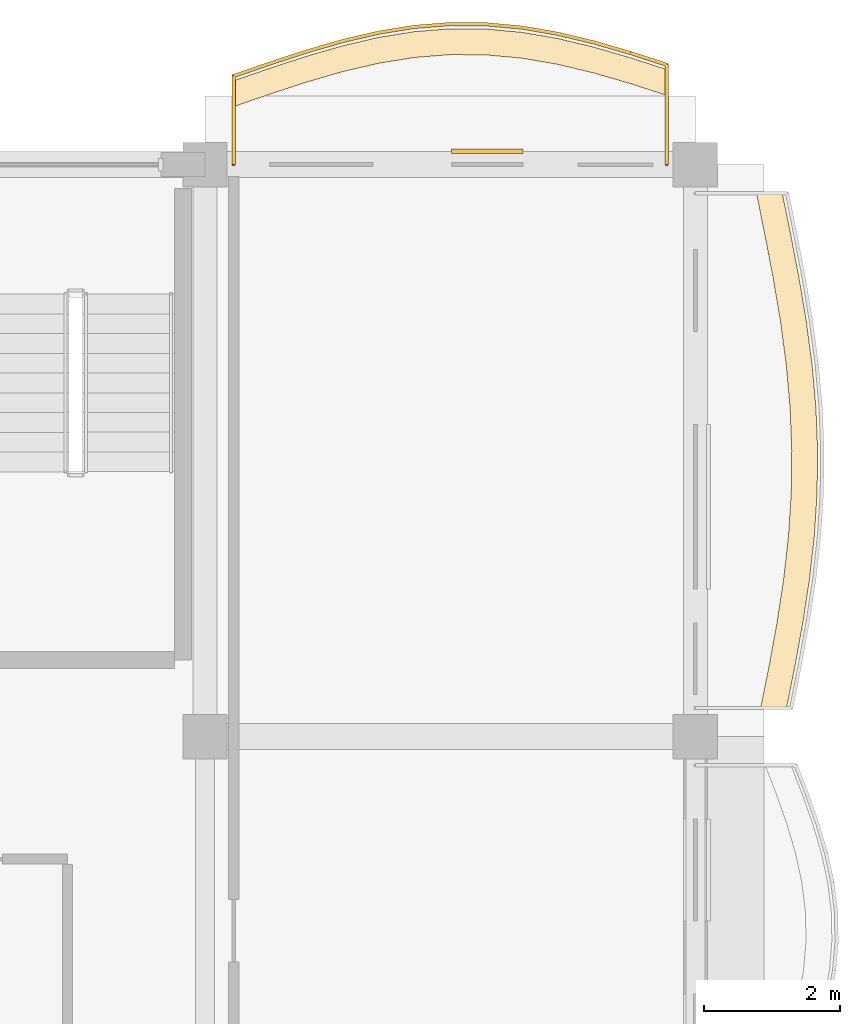
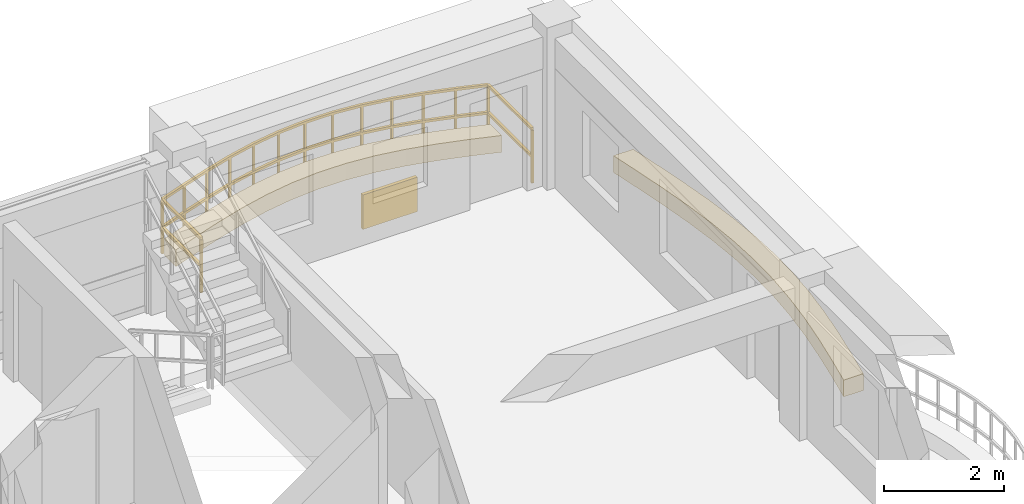
# One storey, part 79 of 79: 3 coverings, 1 railing.
"""IFC4 building model written with IfcOpenShell, lengths in metres."""

from ifc_helpers import new_model, si_unit, direction, frame, origin, origin_2d, place, context, subcontext, project, spatial, polyline, rectangle, outline, extrude, material, layer, layer_set, type_object, element, save


model = new_model("IFC4")

# Units and contexts
model_context = context("Model", 3, precision=1e-05, world=origin(), true_north=direction((0.0, 1.0)))
body_context = subcontext(model_context, "Body", "Model", "MODEL_VIEW")
ifc_project = project(units=[si_unit("LENGTHUNIT", "METRE"), si_unit("AREAUNIT", "SQUARE_METRE"), si_unit("VOLUMEUNIT", "CUBIC_METRE"), si_unit("PLANEANGLEUNIT", "RADIAN"), si_unit("MASSUNIT", "GRAM", prefix="KILO"), si_unit("THERMODYNAMICTEMPERATUREUNIT", "KELVIN")], contexts=[model_context])

# Site, building, storey
site_placement = place(None, origin())
site = spatial("IfcSite", under=ifc_project, at=site_placement, CompositionType="ELEMENT")
building_placement = place(site_placement, origin())
building = spatial("IfcBuilding", under=site, at=building_placement, Name="Thalorik Housing Commons", CompositionType="ELEMENT")
storey_placement = place(building_placement, frame((0.0, 0.0, 11.39990234375)))
storey = spatial("IfcBuildingStorey", under=building, at=storey_placement, Name="L03", CompositionType="ELEMENT", Elevation=11.39990234375)

# Coverings
ifc_material_1 = material(Name="Mineral ochre architectural terracotta panel", Category="masonry")
ifc_layer_1 = layer(ifc_material_1, 0.06494140625, Name="Mineral ochre architectural terracotta panel", Category="masonry")
ifc_layer_set_1 = layer_set([ifc_layer_1], Name="Mineral ochre architectural terracotta panel")
covering_type_1 = type_object("IfcCoveringType", Name="ARC-CLD-YEL-65", PredefinedType="CLADDING", material=ifc_layer_set_1)
covering_1_placement = place(storey_placement, frame((170.9423828125, 123.797607421875, 0.05029296875), z_axis=(0.0, 0.0, 1.0), x_axis=(-1.0, 0.0, 0.0)))
element("IfcCovering", 1, at=covering_1_placement, inside=storey, type_object=covering_type_1, Name="L03 De Stijl Recessed Window Spandrel 1853", PredefinedType="CLADDING", context=body_context, shape_type="SweptSolid", body=[
    extrude(rectangle(XDim=1.050048828125, YDim=0.06494140625, at=origin_2d()), origin(), (0.0, 0.0, 1.0), 0.699951171875),
])
ifc_material_2 = material(Name="Planted vegetated substrate and terracotta trough", Category="masonry")
ifc_layer_2 = layer(ifc_material_2, 0.340087890625, Name="Planted vegetated substrate and terracotta trough", Category="masonry")
ifc_layer_set_2 = layer_set([ifc_layer_2], Name="Planted vegetated substrate and terracotta trough")
covering_type_2 = type_object("IfcCoveringType", Name="ARC-COV-PLANTER", PredefinedType="USERDEFINED", material=ifc_layer_set_2)
covering_2_placement = place(storey_placement, origin())
element("IfcCovering", 2, at=covering_2_placement, inside=storey, type_object=covering_type_2, Name="L03 Balcony Slab-Edge Planted Trough 5444", ObjectType="PLANTER", PredefinedType="USERDEFINED", context=body_context, shape_type="SweptSolid", body=[
    extrude(outline(polyline([(173.580078125, 124.9970703125), (173.050048828125, 125.168212890625), (172.52001953125, 125.32275390625), (171.989990234375, 125.4501953125), (171.4599609375, 125.5419921875), (170.929931640625, 125.59130859375), (170.39990234375, 125.59521484375), (169.8701171875, 125.552734375), (169.340087890625, 125.466796875), (168.81005859375, 125.342529296875), (168.280029296875, 125.1884765625), (167.75, 125.014404296875), (167.219970703125, 124.83154296875), (167.219970703125, 124.45166015625), (167.75, 124.63427734375), (168.280029296875, 124.808349609375), (168.81005859375, 124.962646484375), (169.340087890625, 125.0869140625), (169.8701171875, 125.1728515625), (170.39990234375, 125.215087890625), (170.929931640625, 125.211181640625), (171.4599609375, 125.161865234375), (171.989990234375, 125.0703125), (172.52001953125, 124.94287109375), (173.050048828125, 124.788330078125), (173.580078125, 124.6171875), (173.580078125, 124.9970703125)])), origin(), (0.0, 0.0, 1.0), 0.340087890625),
])
covering_3_placement = place(storey_placement, origin())
element("IfcCovering", 3, at=covering_3_placement, inside=storey, type_object=covering_type_2, Name="L03 Balcony Slab-Edge Planted Trough 5446", ObjectType="PLANTER", PredefinedType="USERDEFINED", context=body_context, shape_type="SweptSolid", body=[
    extrude(outline(polyline([(175.338623046875, 115.6201171875), (175.465087890625, 116.25), (175.580322265625, 116.8798828125), (175.67626953125, 117.510009765625), (175.7470703125, 118.139892578125), (175.787841796875, 118.77001953125), (175.796142578125, 119.39990234375), (175.771240234375, 120.030029296875), (175.71484375, 120.659912109375), (175.631103515625, 121.2900390625), (175.525390625, 121.919921875), (175.40478515625, 122.550048828125), (175.27734375, 123.179931640625), (174.897216796875, 123.179931640625), (175.02490234375, 122.550048828125), (175.1455078125, 121.919921875), (175.251220703125, 121.2900390625), (175.3349609375, 120.659912109375), (175.39111328125, 120.030029296875), (175.416015625, 119.39990234375), (175.407958984375, 118.77001953125), (175.3671875, 118.139892578125), (175.29638671875, 117.510009765625), (175.2001953125, 116.8798828125), (175.085205078125, 116.25), (174.958740234375, 115.6201171875), (175.338623046875, 115.6201171875)])), origin(), (0.0, 0.0, 1.0), 0.340087890625),
])

# Railing
ifc_material_3 = material(Name="Steel S355", Category="steel")
railing_type = type_object("IfcRailingType", Name="ARC-RL-BAL-112", PredefinedType="BALUSTRADE", material=ifc_material_3)
railing_placement = place(storey_placement, frame((173.580078125, 123.60009765625, 0.0)))
element("IfcRailing", 4, at=railing_placement, inside=storey, type_object=railing_type, Name="L03 Cushion Balcony Guardrail 128", PredefinedType="BALUSTRADE", context=body_context, shape_type="SweptSolid", body=[
    extrude(rectangle(XDim=0.050048828125, YDim=0.050048828125, at=origin_2d()), frame((0.0, 0.0, 1.09521484375), z_axis=(0.0, 1.0, 0.0), x_axis=(-1.0, 0.0, 0.0)), (0.0, 0.0, 1.0), 1.467041015625),
    extrude(rectangle(XDim=0.050048828125, YDim=0.050048828125, at=origin_2d()), frame((0.0, 0.0, 0.53515625), z_axis=(0.0, 1.0, 0.0), x_axis=(-1.0, 0.0, 0.0)), (0.0, 0.0, 1.0), 1.467041015625),
    extrude(rectangle(XDim=0.050048828125, YDim=0.050048828125, at=origin_2d()), frame((0.0, 1.467041015625, 1.09521484375), z_axis=(-0.951621821969, 0.307271716813, 0.0), x_axis=(-0.307271716813, -0.951621821969, 0.0)), (0.0, 0.0, 1.0), 0.556884765625),
    extrude(rectangle(XDim=0.050048828125, YDim=0.050048828125, at=origin_2d()), frame((0.0, 1.467041015625, 0.53515625), z_axis=(-0.951621821969, 0.307271716813, 0.0), x_axis=(-0.307271716813, -0.951621821969, 0.0)), (0.0, 0.0, 1.0), 0.556884765625),
    extrude(rectangle(XDim=0.050048828125, YDim=0.050048828125, at=origin_2d()), frame((-0.530029296875, 1.63818359375, 1.09521484375), z_axis=(-0.960024759666, 0.279915095748, 0.0), x_axis=(-0.279915095748, -0.960024759666, 0.0)), (0.0, 0.0, 1.0), 0.552001953125),
    extrude(rectangle(XDim=0.050048828125, YDim=0.050048828125, at=origin_2d()), frame((-0.530029296875, 1.63818359375, 0.53515625), z_axis=(-0.960024759666, 0.279915095748, 0.0), x_axis=(-0.279915095748, -0.960024759666, 0.0)), (0.0, 0.0, 1.0), 0.552001953125),
    extrude(rectangle(XDim=0.050048828125, YDim=0.050048828125, at=origin_2d()), frame((-1.06005859375, 1.792724609375, 1.09521484375), z_axis=(-0.972289651369, 0.233779455557, 0.0), x_axis=(-0.233779455557, -0.972289651369, 0.0)), (0.0, 0.0, 1.0), 0.545166015625),
    extrude(rectangle(XDim=0.050048828125, YDim=0.050048828125, at=origin_2d()), frame((-1.06005859375, 1.792724609375, 0.53515625), z_axis=(-0.972289651369, 0.233779455557, 0.0), x_axis=(-0.233779455557, -0.972289651369, 0.0)), (0.0, 0.0, 1.0), 0.545166015625),
    extrude(rectangle(XDim=0.050048828125, YDim=0.050048828125, at=origin_2d()), frame((-1.590087890625, 1.920166015625, 1.09521484375), z_axis=(-0.985407655953, 0.170210903262, 0.0), x_axis=(-0.170210903262, -0.985407655953, 0.0)), (0.0, 0.0, 1.0), 0.537841796875),
    extrude(rectangle(XDim=0.050048828125, YDim=0.050048828125, at=origin_2d()), frame((-1.590087890625, 1.920166015625, 0.53515625), z_axis=(-0.985407655953, 0.170210903262, 0.0), x_axis=(-0.170210903262, -0.985407655953, 0.0)), (0.0, 0.0, 1.0), 0.537841796875),
    extrude(rectangle(XDim=0.050048828125, YDim=0.050048828125, at=origin_2d()), frame((-2.1201171875, 2.01171875, 1.09521484375), z_axis=(-0.995656839023, 0.093099188541, 0.0), x_axis=(-0.093099188541, -0.995656839023, 0.0)), (0.0, 0.0, 1.0), 0.5322265625),
    extrude(rectangle(XDim=0.050048828125, YDim=0.050048828125, at=origin_2d()), frame((-2.1201171875, 2.01171875, 0.53515625), z_axis=(-0.995656839023, 0.093099188541, 0.0), x_axis=(-0.093099188541, -0.995656839023, 0.0)), (0.0, 0.0, 1.0), 0.5322265625),
    extrude(rectangle(XDim=0.050048828125, YDim=0.050048828125, at=origin_2d()), frame((-2.650146484375, 2.061279296875, 1.09521484375), z_axis=(-0.999976131929, 0.006909093496, 0.0), x_axis=(-0.006909093496, -0.999976131929, 0.0)), (0.0, 0.0, 1.0), 0.530029296875),
    extrude(rectangle(XDim=0.050048828125, YDim=0.050048828125, at=origin_2d()), frame((-2.650146484375, 2.061279296875, 0.53515625), z_axis=(-0.999976131929, 0.006909093496, 0.0), x_axis=(-0.006909093496, -0.999976131929, 0.0)), (0.0, 0.0, 1.0), 0.530029296875),
    extrude(rectangle(XDim=0.050048828125, YDim=0.050048828125, at=origin_2d()), frame((-3.18017578125, 2.06494140625, 1.09521484375), z_axis=(-0.996837150546, -0.079471348868, 0.0), x_axis=(0.079471348868, -0.996837150546, 0.0)), (0.0, 0.0, 1.0), 0.531494140625),
    extrude(rectangle(XDim=0.050048828125, YDim=0.050048828125, at=origin_2d()), frame((-3.18017578125, 2.06494140625, 0.53515625), z_axis=(-0.996837150546, -0.079471348868, 0.0), x_axis=(0.079471348868, -0.996837150546, 0.0)), (0.0, 0.0, 1.0), 0.531494140625),
    extrude(rectangle(XDim=0.050048828125, YDim=0.050048828125, at=origin_2d()), frame((-3.7099609375, 2.022705078125, 1.09521484375), z_axis=(-0.987109360841, -0.16004721097, 0.0), x_axis=(0.16004721097, -0.987109360841, 0.0)), (0.0, 0.0, 1.0), 0.536865234375),
    extrude(rectangle(XDim=0.050048828125, YDim=0.050048828125, at=origin_2d()), frame((-3.7099609375, 2.022705078125, 0.53515625), z_axis=(-0.987109360841, -0.16004721097, 0.0), x_axis=(0.16004721097, -0.987109360841, 0.0)), (0.0, 0.0, 1.0), 0.536865234375),
    extrude(rectangle(XDim=0.050048828125, YDim=0.050048828125, at=origin_2d()), frame((-4.239990234375, 1.936767578125, 1.09521484375), z_axis=(-0.973599183241, -0.228264387043, 0.0), x_axis=(0.228264387043, -0.973599183241, 0.0)), (0.0, 0.0, 1.0), 0.54443359375),
    extrude(rectangle(XDim=0.050048828125, YDim=0.050048828125, at=origin_2d()), frame((-4.239990234375, 1.936767578125, 0.53515625), z_axis=(-0.973599183241, -0.228264387043, 0.0), x_axis=(0.228264387043, -0.973599183241, 0.0)), (0.0, 0.0, 1.0), 0.54443359375),
    extrude(rectangle(XDim=0.050048828125, YDim=0.050048828125, at=origin_2d()), frame((-4.77001953125, 1.8125, 1.09521484375), z_axis=(-0.960143519277, -0.279507463926, 0.0), x_axis=(0.279507463926, -0.960143519277, 0.0)), (0.0, 0.0, 1.0), 0.552001953125),
    extrude(rectangle(XDim=0.050048828125, YDim=0.050048828125, at=origin_2d()), frame((-4.77001953125, 1.8125, 0.53515625), z_axis=(-0.960143519277, -0.279507463926, 0.0), x_axis=(0.279507463926, -0.960143519277, 0.0)), (0.0, 0.0, 1.0), 0.552001953125),
    extrude(rectangle(XDim=0.050048828125, YDim=0.050048828125, at=origin_2d()), frame((-5.300048828125, 1.658203125, 1.09521484375), z_axis=(-0.950074381788, -0.312023507239, 0.0), x_axis=(0.312023507239, -0.950074381788, 0.0)), (0.0, 0.0, 1.0), 0.557861328125),
    extrude(rectangle(XDim=0.050048828125, YDim=0.050048828125, at=origin_2d()), frame((-5.300048828125, 1.658203125, 0.53515625), z_axis=(-0.950074381788, -0.312023507239, 0.0), x_axis=(0.312023507239, -0.950074381788, 0.0)), (0.0, 0.0, 1.0), 0.557861328125),
    extrude(rectangle(XDim=0.050048828125, YDim=0.050048828125, at=origin_2d()), frame((-5.830078125, 1.484130859375, 1.09521484375), z_axis=(-0.945456254499, -0.325749091831, 0.0), x_axis=(0.325749091831, -0.945456254499, 0.0)), (0.0, 0.0, 1.0), 0.560546875),
    extrude(rectangle(XDim=0.050048828125, YDim=0.050048828125, at=origin_2d()), frame((-5.830078125, 1.484130859375, 0.53515625), z_axis=(-0.945456254499, -0.325749091831, 0.0), x_axis=(0.325749091831, -0.945456254499, 0.0)), (0.0, 0.0, 1.0), 0.560546875),
    extrude(rectangle(XDim=0.050048828125, YDim=0.050048828125, at=origin_2d()), frame((-6.360107421875, 1.301513671875, 1.09521484375), z_axis=(0.0, -1.0, 0.0), x_axis=(1.0, 0.0, 0.0)), (0.0, 0.0, 1.0), 1.301513671875),
    extrude(rectangle(XDim=0.050048828125, YDim=0.050048828125, at=origin_2d()), frame((-6.360107421875, 1.301513671875, 0.53515625), z_axis=(0.0, -1.0, 0.0), x_axis=(1.0, 0.0, 0.0)), (0.0, 0.0, 1.0), 1.301513671875),
    extrude(rectangle(XDim=0.0419921875, YDim=0.0419921875, at=origin_2d()), origin(), (0.0, 0.0, 1.0), 1.070068359375),
    extrude(rectangle(XDim=0.0419921875, YDim=0.0419921875, at=origin_2d()), frame((0.0, 1.467041015625, 0.0)), (0.0, 0.0, 1.0), 1.070068359375),
    extrude(rectangle(XDim=0.0419921875, YDim=0.0419921875, at=origin_2d()), frame((-0.530029296875, 1.63818359375, 0.0)), (0.0, 0.0, 1.0), 1.070068359375),
    extrude(rectangle(XDim=0.0419921875, YDim=0.0419921875, at=origin_2d()), frame((-1.06005859375, 1.792724609375, 0.0)), (0.0, 0.0, 1.0), 1.070068359375),
    extrude(rectangle(XDim=0.0419921875, YDim=0.0419921875, at=origin_2d()), frame((-1.590087890625, 1.920166015625, 0.0)), (0.0, 0.0, 1.0), 1.070068359375),
    extrude(rectangle(XDim=0.0419921875, YDim=0.0419921875, at=origin_2d()), frame((-2.1201171875, 2.01171875, 0.0)), (0.0, 0.0, 1.0), 1.070068359375),
    extrude(rectangle(XDim=0.0419921875, YDim=0.0419921875, at=origin_2d()), frame((-2.650146484375, 2.061279296875, 0.0)), (0.0, 0.0, 1.0), 1.070068359375),
    extrude(rectangle(XDim=0.0419921875, YDim=0.0419921875, at=origin_2d()), frame((-3.18017578125, 2.06494140625, 0.0)), (0.0, 0.0, 1.0), 1.070068359375),
    extrude(rectangle(XDim=0.0419921875, YDim=0.0419921875, at=origin_2d()), frame((-3.7099609375, 2.022705078125, 0.0)), (0.0, 0.0, 1.0), 1.070068359375),
    extrude(rectangle(XDim=0.0419921875, YDim=0.0419921875, at=origin_2d()), frame((-4.239990234375, 1.936767578125, 0.0)), (0.0, 0.0, 1.0), 1.070068359375),
    extrude(rectangle(XDim=0.0419921875, YDim=0.0419921875, at=origin_2d()), frame((-4.77001953125, 1.8125, 0.0)), (0.0, 0.0, 1.0), 1.070068359375),
    extrude(rectangle(XDim=0.0419921875, YDim=0.0419921875, at=origin_2d()), frame((-5.300048828125, 1.658203125, 0.0)), (0.0, 0.0, 1.0), 1.070068359375),
    extrude(rectangle(XDim=0.0419921875, YDim=0.0419921875, at=origin_2d()), frame((-5.830078125, 1.484130859375, 0.0)), (0.0, 0.0, 1.0), 1.070068359375),
    extrude(rectangle(XDim=0.0419921875, YDim=0.0419921875, at=origin_2d()), frame((-6.360107421875, 1.301513671875, 0.0)), (0.0, 0.0, 1.0), 1.070068359375),
    extrude(rectangle(XDim=0.0419921875, YDim=0.0419921875, at=origin_2d()), frame((-6.360107421875, 0.0, 0.0)), (0.0, 0.0, 1.0), 1.070068359375),
])

save(model, "model.ifc")
